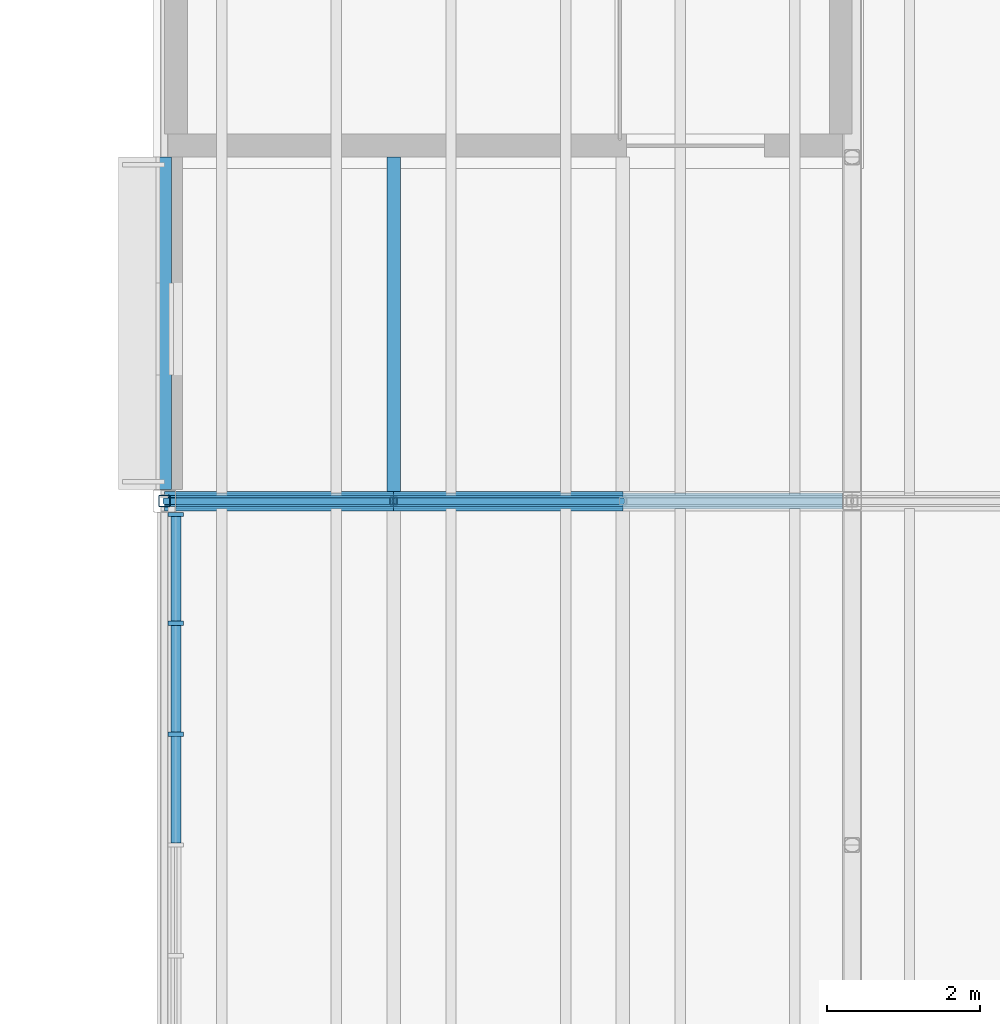
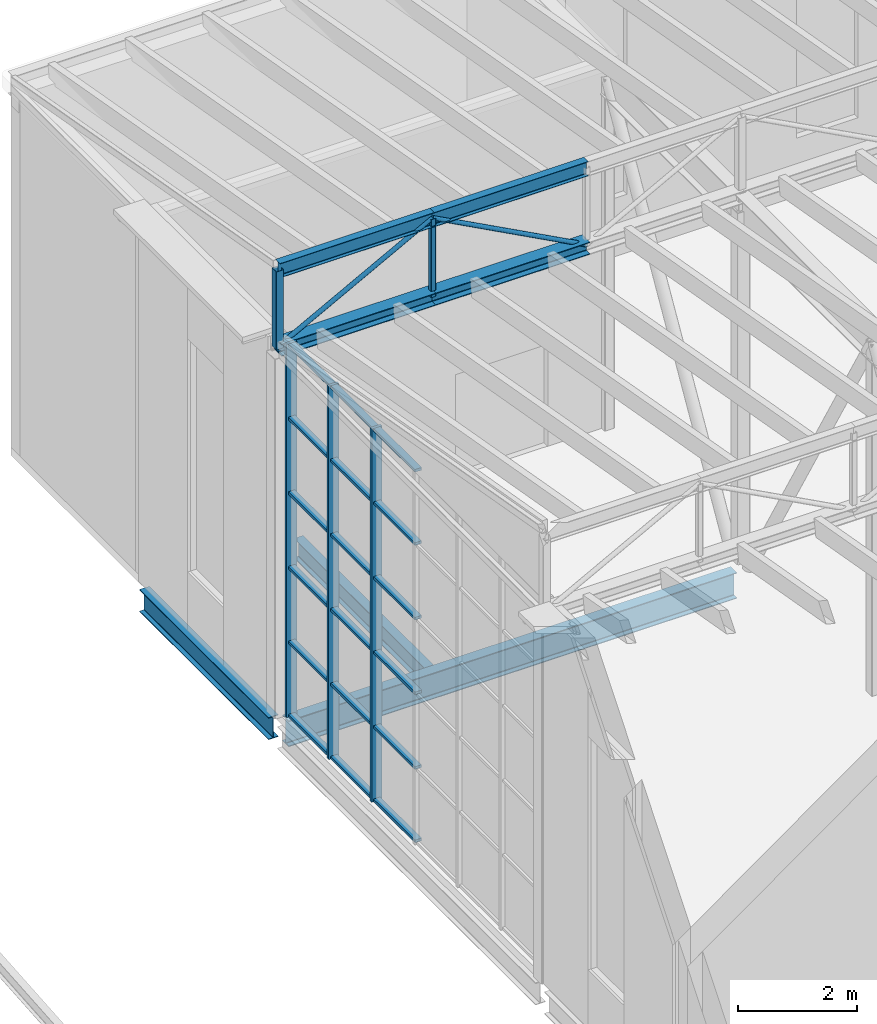
# One storey, part 39 of 90: 29 members, 3 beams, 1 element without a shape of its own.
"""IFC4 building model written with IfcOpenShell, lengths in metres."""

from ifc_helpers import new_model, si_unit, direction, frame, origin, origin_2d, place, context, subcontext, project, spatial, rectangle, hollow_rectangle, hollow_circle, i_section, extrude, material, layer, layer_set, material_profile, profile_set, type_object, element, aggregate, save


model = new_model("IFC4")

# Units and contexts
model_context = context("Model", 3, precision=1e-05, world=origin(), true_north=direction((0.0, 1.0)))
body_context = subcontext(model_context, "Body", "Model", "MODEL_VIEW")
ifc_project = project(units=[si_unit("LENGTHUNIT", "METRE"), si_unit("AREAUNIT", "SQUARE_METRE"), si_unit("VOLUMEUNIT", "CUBIC_METRE"), si_unit("PLANEANGLEUNIT", "RADIAN"), si_unit("MASSUNIT", "GRAM", prefix="KILO")], contexts=[model_context])

# Site, building, storey
site_placement = place(None, origin())
site = spatial("IfcSite", under=ifc_project, at=site_placement, CompositionType="ELEMENT")
building_placement = place(site_placement, origin())
building = spatial("IfcBuilding", under=site, at=building_placement, Name="Halyard Row Museum", CompositionType="ELEMENT")
storey_placement = place(building_placement, frame((0.0, 0.0, 13.39990234375)))
storey = spatial("IfcBuildingStorey", under=building, at=storey_placement, Name="L03", CompositionType="ELEMENT", Elevation=13.39990234375)

# Curtain wall, members
ifc_material_1 = material(Name="Double glazed unit, low-emissivity", Category="glass")
ifc_layer = layer(ifc_material_1, 0.199951171875)
ifc_layer_set = layer_set([ifc_layer], Name="Double glazed unit, low-emissivity")
curtain_wall_type = type_object("IfcCurtainWallType", Name="Curtain wall gable 200 deep", PredefinedType="NOTDEFINED", material=ifc_layer_set)
curtain_wall_placement = place(storey_placement, origin())
curtain_wall = element("IfcCurtainWall", 1, at=curtain_wall_placement, inside=storey, type_object=curtain_wall_type, Name="Curtain wall CW054", PredefinedType="NOTDEFINED")
ifc_material_2 = material(Name="Powder-coated aluminium section", Category="aluminium")
ifc_material_profile_1 = material_profile(ifc_material_2, rectangle(XDim=0.199951171875, YDim=0.054931640625, at=origin_2d()), Name="200x55 mullion")
ifc_profile_set_1 = profile_set([ifc_material_profile_1], Name="Powder-coated aluminium section")
member_type_1 = type_object("IfcMemberType", Name="Curtain wall mullion CM7 55 x 200", PredefinedType="MULLION", material=ifc_profile_set_1)
member_1_placement = place(storey_placement, frame((27.14990234375, 35.822509765625, 0.0), z_axis=(0.0, 0.0, 1.0), x_axis=(1.0, 0.0, 0.0)))
member_1 = element("IfcMember", 2, at=member_1_placement, type_object=member_type_1, Name="CW054 mullion 1", PredefinedType="MULLION", context=body_context, shape_type="SweptSolid", body=[
    extrude(rectangle(XDim=0.199951171875, YDim=0.054931640625, at=origin_2d()), origin(), (0.0, 0.0, 1.0), 7.67822265625),
])
member_2_placement = place(storey_placement, frame((27.14990234375, 34.39990234375, 0.0), z_axis=(0.0, 0.0, 1.0), x_axis=(1.0, 0.0, 0.0)))
member_2 = element("IfcMember", 3, at=member_2_placement, type_object=member_type_1, Name="CW054 mullion 2", PredefinedType="MULLION", context=body_context, shape_type="SweptSolid", body=[
    extrude(rectangle(XDim=0.199951171875, YDim=0.054931640625, at=origin_2d()), origin(), (0.0, 0.0, 1.0), 7.67822265625),
])
member_3_placement = place(storey_placement, frame((27.14990234375, 32.949951171875, 0.0), z_axis=(0.0, 0.0, 1.0), x_axis=(1.0, 0.0, 0.0)))
member_3 = element("IfcMember", 4, at=member_3_placement, type_object=member_type_1, Name="CW054 mullion 3", PredefinedType="MULLION", context=body_context, shape_type="SweptSolid", body=[
    extrude(rectangle(XDim=0.199951171875, YDim=0.054931640625, at=origin_2d()), origin(), (0.0, 0.0, 1.0), 7.67822265625),
])
ifc_material_3 = material(Name="Powder-coated aluminium section", Category="aluminium")
ifc_material_profile_2 = material_profile(ifc_material_3, rectangle(XDim=0.1298828125, YDim=0.054931640625, at=origin_2d()), Name="130x55 transom")
ifc_profile_set_2 = profile_set([ifc_material_profile_2], Name="Powder-coated aluminium section")
member_type_2 = type_object("IfcMemberType", Name="Curtain wall transom CT7 55 x 130", PredefinedType="USERDEFINED", material=ifc_profile_set_2)
member_4_placement = place(storey_placement, frame((27.14990234375, 35.794921875, 0.027587890625), z_axis=(0.0, -1.0, 0.0), x_axis=(1.0, 0.0, 0.0)))
member_4 = element("IfcMember", 5, at=member_4_placement, type_object=member_type_2, Name="CW054 transom 1.1", ObjectType="TRANSOM", PredefinedType="USERDEFINED", context=body_context, shape_type="SweptSolid", body=[
    extrude(rectangle(XDim=0.1298828125, YDim=0.054931640625, at=origin_2d()), origin(), (0.0, 0.0, 1.0), 1.367431640625),
])
member_5_placement = place(storey_placement, frame((27.14990234375, 35.794921875, 1.53564453125), z_axis=(0.0, -1.0, 0.0), x_axis=(1.0, 0.0, 0.0)))
member_5 = element("IfcMember", 6, at=member_5_placement, type_object=member_type_2, Name="CW054 transom 1.2", ObjectType="TRANSOM", PredefinedType="USERDEFINED", context=body_context, shape_type="SweptSolid", body=[
    extrude(rectangle(XDim=0.1298828125, YDim=0.054931640625, at=origin_2d()), origin(), (0.0, 0.0, 1.0), 1.367431640625),
])
member_6_placement = place(storey_placement, frame((27.14990234375, 35.794921875, 3.0712890625), z_axis=(0.0, -1.0, 0.0), x_axis=(1.0, 0.0, 0.0)))
member_6 = element("IfcMember", 7, at=member_6_placement, type_object=member_type_2, Name="CW054 transom 1.3", ObjectType="TRANSOM", PredefinedType="USERDEFINED", context=body_context, shape_type="SweptSolid", body=[
    extrude(rectangle(XDim=0.1298828125, YDim=0.054931640625, at=origin_2d()), origin(), (0.0, 0.0, 1.0), 1.367431640625),
])
member_7_placement = place(storey_placement, frame((27.14990234375, 35.794921875, 4.60693359375), z_axis=(0.0, -1.0, 0.0), x_axis=(1.0, 0.0, 0.0)))
member_7 = element("IfcMember", 8, at=member_7_placement, type_object=member_type_2, Name="CW054 transom 1.4", ObjectType="TRANSOM", PredefinedType="USERDEFINED", context=body_context, shape_type="SweptSolid", body=[
    extrude(rectangle(XDim=0.1298828125, YDim=0.054931640625, at=origin_2d()), origin(), (0.0, 0.0, 1.0), 1.367431640625),
])
member_8_placement = place(storey_placement, frame((27.14990234375, 35.794921875, 6.142578125), z_axis=(0.0, -1.0, 0.0), x_axis=(1.0, 0.0, 0.0)))
member_8 = element("IfcMember", 9, at=member_8_placement, type_object=member_type_2, Name="CW054 transom 1.5", ObjectType="TRANSOM", PredefinedType="USERDEFINED", context=body_context, shape_type="SweptSolid", body=[
    extrude(rectangle(XDim=0.1298828125, YDim=0.054931640625, at=origin_2d()), origin(), (0.0, 0.0, 1.0), 1.367431640625),
])
member_9_placement = place(storey_placement, frame((27.14990234375, 35.794921875, 7.650634765625), z_axis=(0.0, -1.0, 0.0), x_axis=(1.0, 0.0, 0.0)))
member_9 = element("IfcMember", 10, at=member_9_placement, type_object=member_type_2, Name="CW054 transom 1.6", ObjectType="TRANSOM", PredefinedType="USERDEFINED", context=body_context, shape_type="SweptSolid", body=[
    extrude(rectangle(XDim=0.1298828125, YDim=0.054931640625, at=origin_2d()), origin(), (0.0, 0.0, 1.0), 1.367431640625),
])
member_10_placement = place(storey_placement, frame((27.14990234375, 34.37255859375, 0.027587890625), z_axis=(0.0, -1.0, 0.0), x_axis=(1.0, 0.0, 0.0)))
member_10 = element("IfcMember", 11, at=member_10_placement, type_object=member_type_2, Name="CW054 transom 2.1", ObjectType="TRANSOM", PredefinedType="USERDEFINED", context=body_context, shape_type="SweptSolid", body=[
    extrude(rectangle(XDim=0.1298828125, YDim=0.054931640625, at=origin_2d()), origin(), (0.0, 0.0, 1.0), 1.39501953125),
])
member_11_placement = place(storey_placement, frame((27.14990234375, 34.37255859375, 1.53564453125), z_axis=(0.0, -1.0, 0.0), x_axis=(1.0, 0.0, 0.0)))
member_11 = element("IfcMember", 12, at=member_11_placement, type_object=member_type_2, Name="CW054 transom 2.2", ObjectType="TRANSOM", PredefinedType="USERDEFINED", context=body_context, shape_type="SweptSolid", body=[
    extrude(rectangle(XDim=0.1298828125, YDim=0.054931640625, at=origin_2d()), origin(), (0.0, 0.0, 1.0), 1.39501953125),
])
member_12_placement = place(storey_placement, frame((27.14990234375, 34.37255859375, 3.0712890625), z_axis=(0.0, -1.0, 0.0), x_axis=(1.0, 0.0, 0.0)))
member_12 = element("IfcMember", 13, at=member_12_placement, type_object=member_type_2, Name="CW054 transom 2.3", ObjectType="TRANSOM", PredefinedType="USERDEFINED", context=body_context, shape_type="SweptSolid", body=[
    extrude(rectangle(XDim=0.1298828125, YDim=0.054931640625, at=origin_2d()), origin(), (0.0, 0.0, 1.0), 1.39501953125),
])
member_13_placement = place(storey_placement, frame((27.14990234375, 34.37255859375, 4.60693359375), z_axis=(0.0, -1.0, 0.0), x_axis=(1.0, 0.0, 0.0)))
member_13 = element("IfcMember", 14, at=member_13_placement, type_object=member_type_2, Name="CW054 transom 2.4", ObjectType="TRANSOM", PredefinedType="USERDEFINED", context=body_context, shape_type="SweptSolid", body=[
    extrude(rectangle(XDim=0.1298828125, YDim=0.054931640625, at=origin_2d()), origin(), (0.0, 0.0, 1.0), 1.39501953125),
])
member_14_placement = place(storey_placement, frame((27.14990234375, 34.37255859375, 6.142578125), z_axis=(0.0, -1.0, 0.0), x_axis=(1.0, 0.0, 0.0)))
member_14 = element("IfcMember", 15, at=member_14_placement, type_object=member_type_2, Name="CW054 transom 2.5", ObjectType="TRANSOM", PredefinedType="USERDEFINED", context=body_context, shape_type="SweptSolid", body=[
    extrude(rectangle(XDim=0.1298828125, YDim=0.054931640625, at=origin_2d()), origin(), (0.0, 0.0, 1.0), 1.39501953125),
])
member_15_placement = place(storey_placement, frame((27.14990234375, 34.37255859375, 7.650634765625), z_axis=(0.0, -1.0, 0.0), x_axis=(1.0, 0.0, 0.0)))
member_15 = element("IfcMember", 16, at=member_15_placement, type_object=member_type_2, Name="CW054 transom 2.6", ObjectType="TRANSOM", PredefinedType="USERDEFINED", context=body_context, shape_type="SweptSolid", body=[
    extrude(rectangle(XDim=0.1298828125, YDim=0.054931640625, at=origin_2d()), origin(), (0.0, 0.0, 1.0), 1.39501953125),
])
member_16_placement = place(storey_placement, frame((27.14990234375, 32.922607421875, 0.027587890625), z_axis=(0.0, -1.0, 0.0), x_axis=(1.0, 0.0, 0.0)))
member_16 = element("IfcMember", 17, at=member_16_placement, type_object=member_type_2, Name="CW054 transom 3.1", ObjectType="TRANSOM", PredefinedType="USERDEFINED", context=body_context, shape_type="SweptSolid", body=[
    extrude(rectangle(XDim=0.1298828125, YDim=0.054931640625, at=origin_2d()), origin(), (0.0, 0.0, 1.0), 1.39501953125),
])
member_17_placement = place(storey_placement, frame((27.14990234375, 32.922607421875, 1.53564453125), z_axis=(0.0, -1.0, 0.0), x_axis=(1.0, 0.0, 0.0)))
member_17 = element("IfcMember", 18, at=member_17_placement, type_object=member_type_2, Name="CW054 transom 3.2", ObjectType="TRANSOM", PredefinedType="USERDEFINED", context=body_context, shape_type="SweptSolid", body=[
    extrude(rectangle(XDim=0.1298828125, YDim=0.054931640625, at=origin_2d()), origin(), (0.0, 0.0, 1.0), 1.39501953125),
])
member_18_placement = place(storey_placement, frame((27.14990234375, 32.922607421875, 3.0712890625), z_axis=(0.0, -1.0, 0.0), x_axis=(1.0, 0.0, 0.0)))
member_18 = element("IfcMember", 19, at=member_18_placement, type_object=member_type_2, Name="CW054 transom 3.3", ObjectType="TRANSOM", PredefinedType="USERDEFINED", context=body_context, shape_type="SweptSolid", body=[
    extrude(rectangle(XDim=0.1298828125, YDim=0.054931640625, at=origin_2d()), origin(), (0.0, 0.0, 1.0), 1.39501953125),
])
member_19_placement = place(storey_placement, frame((27.14990234375, 32.922607421875, 4.60693359375), z_axis=(0.0, -1.0, 0.0), x_axis=(1.0, 0.0, 0.0)))
member_19 = element("IfcMember", 20, at=member_19_placement, type_object=member_type_2, Name="CW054 transom 3.4", ObjectType="TRANSOM", PredefinedType="USERDEFINED", context=body_context, shape_type="SweptSolid", body=[
    extrude(rectangle(XDim=0.1298828125, YDim=0.054931640625, at=origin_2d()), origin(), (0.0, 0.0, 1.0), 1.39501953125),
])
member_20_placement = place(storey_placement, frame((27.14990234375, 32.922607421875, 6.142578125), z_axis=(0.0, -1.0, 0.0), x_axis=(1.0, 0.0, 0.0)))
member_20 = element("IfcMember", 21, at=member_20_placement, type_object=member_type_2, Name="CW054 transom 3.5", ObjectType="TRANSOM", PredefinedType="USERDEFINED", context=body_context, shape_type="SweptSolid", body=[
    extrude(rectangle(XDim=0.1298828125, YDim=0.054931640625, at=origin_2d()), origin(), (0.0, 0.0, 1.0), 1.39501953125),
])
member_21_placement = place(storey_placement, frame((27.14990234375, 32.922607421875, 7.650634765625), z_axis=(0.0, -1.0, 0.0), x_axis=(1.0, 0.0, 0.0)))
member_21 = element("IfcMember", 22, at=member_21_placement, type_object=member_type_2, Name="CW054 transom 3.6", ObjectType="TRANSOM", PredefinedType="USERDEFINED", context=body_context, shape_type="SweptSolid", body=[
    extrude(rectangle(XDim=0.1298828125, YDim=0.054931640625, at=origin_2d()), origin(), (0.0, 0.0, 1.0), 1.39501953125),
])
aggregate(curtain_wall, [member_1, member_2, member_3, member_4, member_5, member_6, member_7, member_8, member_9, member_10, member_11, member_12, member_13, member_14, member_15, member_16, member_17, member_18, member_19, member_20, member_21])

# Beams
ifc_material_4 = material(Name="Steel Grade 300", Category="steel")
ifc_material_profile_3 = material_profile(ifc_material_4, i_section(OverallWidth=0.18994140625, OverallDepth=0.45751953125, WebThickness=0.009033203125, FlangeThickness=0.014404296875, FilletRadius=0.011474609375, at=origin_2d()), Name="460UB74.6")
ifc_profile_set_3 = profile_set([ifc_material_profile_3], Name="Steel Grade 300")
beam_type_1 = type_object("IfcBeamType", Name="Edge beam 460UB74.6", PredefinedType="BEAM", material=ifc_profile_set_3)
beam_1_placement = place(storey_placement, frame((27.0, 36.14990234375, -0.3935546875), z_axis=(0.0, 1.0, 0.0), x_axis=(-1.0, 0.0, 0.0)))
element("IfcBeam", 23, at=beam_1_placement, inside=storey, type_object=beam_type_1, Name="Beam L03-045", PredefinedType="BEAM", context=body_context, shape_type="SweptSolid", body=[
    extrude(i_section(OverallWidth=0.18994140625, OverallDepth=0.45751953125, WebThickness=0.009033203125, FlangeThickness=0.014404296875, FilletRadius=0.011474609375, at=origin_2d()), origin(), (0.0, 0.0, 1.0), 4.35009765625),
])
ifc_material_5 = material(Name="Steel Grade 300", Category="steel")
ifc_material_profile_4 = material_profile(ifc_material_5, i_section(OverallWidth=0.208984375, OverallDepth=0.532958984375, WebThickness=0.01025390625, FlangeThickness=0.015625, FilletRadius=0.013916015625, at=origin_2d()), Name="530UB92.4")
ifc_profile_set_4 = profile_set([ifc_material_profile_4], Name="Steel Grade 300")
beam_type_2 = type_object("IfcBeamType", Name="Girder beam 530UB92.4", PredefinedType="BEAM", material=ifc_profile_set_4)
beam_2_placement = place(storey_placement, frame((27.14990234375, 36.0, -0.431396484375), z_axis=(1.0, 0.0, 0.0), x_axis=(0.0, 1.0, 0.0)))
element("IfcBeam", 24, at=beam_2_placement, inside=storey, type_object=beam_type_2, Name="Beam L03-027", PredefinedType="BEAM", context=body_context, shape_type="SweptSolid", body=[
    extrude(i_section(OverallWidth=0.208984375, OverallDepth=0.532958984375, WebThickness=0.01025390625, FlangeThickness=0.015625, FilletRadius=0.013916015625, at=origin_2d()), origin(), (0.0, 0.0, 1.0), 8.72509765625),
])
ifc_material_6 = material(Name="Steel Grade 300", Category="steel")
ifc_material_profile_5 = material_profile(ifc_material_6, i_section(OverallWidth=0.177978515625, OverallDepth=0.406494140625, WebThickness=0.0078125, FlangeThickness=0.0126953125, FilletRadius=0.011474609375, at=origin_2d()), Name="410UB59.7")
ifc_profile_set_5 = profile_set([ifc_material_profile_5], Name="Steel Grade 300")
beam_type_3 = type_object("IfcBeamType", Name="Secondary beam 410UB59.7", PredefinedType="BEAM", material=ifc_profile_set_5)
beam_3_placement = place(storey_placement, frame((30.0, 36.1044921875, -0.3681640625), z_axis=(0.0, 1.0, 0.0), x_axis=(-1.0, 0.0, 0.0)))
element("IfcBeam", 25, at=beam_3_placement, inside=storey, type_object=beam_type_3, Name="Beam L03-123", PredefinedType="BEAM", context=body_context, shape_type="SweptSolid", body=[
    extrude(i_section(OverallWidth=0.177978515625, OverallDepth=0.406494140625, WebThickness=0.0078125, FlangeThickness=0.0126953125, FilletRadius=0.011474609375, at=origin_2d()), origin(), (0.0, 0.0, 1.0), 4.3955078125),
])

# Members
ifc_material_7 = material(Name="Steel Grade 300", Category="steel")
ifc_material_profile_6 = material_profile(ifc_material_7, i_section(OverallWidth=0.25390625, OverallDepth=0.25390625, WebThickness=0.008544921875, FlangeThickness=0.01416015625, FilletRadius=0.013916015625, at=origin_2d()), Name="250UC72.9")
ifc_profile_set_6 = profile_set([ifc_material_profile_6], Name="Steel Grade 300")
member_type_3 = type_object("IfcMemberType", Name="Valley truss bottom chord 250UC72.9", PredefinedType="CHORD", material=ifc_profile_set_6)
for number, where, z_axis, x_axis, name in (
    (26, (27.0, 36.0, 7.527099609375), (1.0, 0.0, 0.0), (0.0, 1.0, 0.0), "V1-VT3 bottom chord 1.1"),
    (27, (30.0, 36.0, 7.527099609375), (1.0, 0.0, 0.0), (0.0, 1.0, 0.0), "V1-VT3 bottom chord 1.2"),
):
    element("IfcMember", number, at=place(storey_placement, frame(where, z_axis=z_axis, x_axis=x_axis)), inside=storey, type_object=member_type_3, Name=name, PredefinedType="CHORD", context=body_context, shape_type="SweptSolid", body=[
        extrude(i_section(OverallWidth=0.25390625, OverallDepth=0.25390625, WebThickness=0.008544921875, FlangeThickness=0.01416015625, FilletRadius=0.013916015625, at=origin_2d()), origin(), (0.0, 0.0, 1.0), 3.0),
    ])
ifc_material_8 = material(Name="Steel Grade C250L0", Category="steel")
ifc_material_profile_7 = material_profile(ifc_material_8, hollow_circle(Radius=0.04443359375, WallThickness=0.0048828125, at=origin_2d()), Name="88.9x5.0CHS")
ifc_profile_set_7 = profile_set([ifc_material_profile_7], Name="Steel Grade C250L0")
member_type_4 = type_object("IfcMemberType", Name="Valley truss diagonal 88.9x5.0CHS", PredefinedType="BRACE", material=ifc_profile_set_7)
for number, where, z_axis, x_axis, name in (
    (28, (27.0, 36.0, 7.527099609375), (0.881863759518, 0.0, 0.471504305016), (0.0, 1.0, 0.0), "V1-VT3 diagonal 1.1"),
    (29, (30.0, 36.0, 9.131103515625), (0.881863759518, 0.0, -0.471504305016), (0.0, 1.0, 0.0), "V1-VT3 diagonal 1.2"),
):
    element("IfcMember", number, at=place(storey_placement, frame(where, z_axis=z_axis, x_axis=x_axis)), inside=storey, type_object=member_type_4, Name=name, PredefinedType="BRACE", context=body_context, shape_type="SweptSolid", body=[
        extrude(hollow_circle(Radius=0.04443359375, WallThickness=0.0048828125, at=origin_2d()), origin(), (0.0, 0.0, 1.0), 3.40185546875),
    ])
ifc_material_9 = material(Name="Steel Grade C350L0", Category="steel")
ifc_material_profile_8 = material_profile(ifc_material_9, hollow_rectangle(XDim=0.10009765625, YDim=0.10009765625, WallThickness=0.006103515625, InnerFilletRadius=0.009033203125, OuterFilletRadius=0.014892578125, at=origin_2d()), Name="100x100x6.0SHS")
ifc_profile_set_8 = profile_set([ifc_material_profile_8], Name="Steel Grade C350L0")
member_type_5 = type_object("IfcMemberType", Name="Valley truss post 100x100x6.0SHS", PredefinedType="POST", material=ifc_profile_set_8)
member_22_placement = place(storey_placement, frame((30.0, 36.0, 7.527099609375), z_axis=(0.0, 0.0, 1.0), x_axis=(1.0, 0.0, 0.0)))
element("IfcMember", 30, at=member_22_placement, inside=storey, type_object=member_type_5, Name="V1-VT3 post 1.1", PredefinedType="POST", context=body_context, shape_type="SweptSolid", body=[
    extrude(hollow_rectangle(XDim=0.10009765625, YDim=0.10009765625, WallThickness=0.006103515625, InnerFilletRadius=0.009033203125, OuterFilletRadius=0.014892578125, at=origin_2d()), origin(), (0.0, 0.0, 1.0), 1.60400390625),
])
ifc_material_10 = material(Name="Steel Grade C350L0", Category="steel")
ifc_material_profile_9 = material_profile(ifc_material_10, hollow_rectangle(XDim=0.14990234375, YDim=0.14990234375, WallThickness=0.006103515625, InnerFilletRadius=0.009033203125, OuterFilletRadius=0.014892578125, at=origin_2d()), Name="150x150x6.0SHS")
ifc_profile_set_9 = profile_set([ifc_material_profile_9], Name="Steel Grade C350L0")
member_type_6 = type_object("IfcMemberType", Name="Valley truss post 150x150x6.0SHS", PredefinedType="POST", material=ifc_profile_set_9)
member_23_placement = place(storey_placement, frame((27.0, 36.0, 7.527099609375), z_axis=(0.0, 0.0, 1.0), x_axis=(1.0, 0.0, 0.0)))
element("IfcMember", 31, at=member_23_placement, inside=storey, type_object=member_type_6, Name="V1-VT3 post 1.0", PredefinedType="POST", context=body_context, shape_type="SweptSolid", body=[
    extrude(hollow_rectangle(XDim=0.14990234375, YDim=0.14990234375, WallThickness=0.006103515625, InnerFilletRadius=0.009033203125, OuterFilletRadius=0.014892578125, at=origin_2d()), origin(), (0.0, 0.0, 1.0), 1.60400390625),
])
ifc_material_11 = material(Name="Steel Grade 300", Category="steel")
ifc_material_profile_10 = material_profile(ifc_material_11, i_section(OverallWidth=0.14892578125, OverallDepth=0.298095703125, WebThickness=0.005615234375, FlangeThickness=0.008056640625, FilletRadius=0.012939453125, at=origin_2d()), Name="310UB32.0")
ifc_profile_set_10 = profile_set([ifc_material_profile_10], Name="Steel Grade 300")
member_type_7 = type_object("IfcMemberType", Name="Valley truss top chord 310UB32.0", PredefinedType="CHORD", material=ifc_profile_set_10)
for number, where, z_axis, x_axis, name in (
    (32, (27.0, 36.0, 9.131103515625), (1.0, 0.0, 0.0), (0.0, 1.0, 0.0), "V1-VT3 top chord 1.1"),
    (33, (30.0, 36.0, 9.131103515625), (1.0, 0.0, 0.0), (0.0, 1.0, 0.0), "V1-VT3 top chord 1.2"),
):
    element("IfcMember", number, at=place(storey_placement, frame(where, z_axis=z_axis, x_axis=x_axis)), inside=storey, type_object=member_type_7, Name=name, PredefinedType="CHORD", context=body_context, shape_type="SweptSolid", body=[
        extrude(i_section(OverallWidth=0.14892578125, OverallDepth=0.298095703125, WebThickness=0.005615234375, FlangeThickness=0.008056640625, FilletRadius=0.012939453125, at=origin_2d()), origin(), (0.0, 0.0, 1.0), 3.0),
    ])

save(model, "model.ifc")
